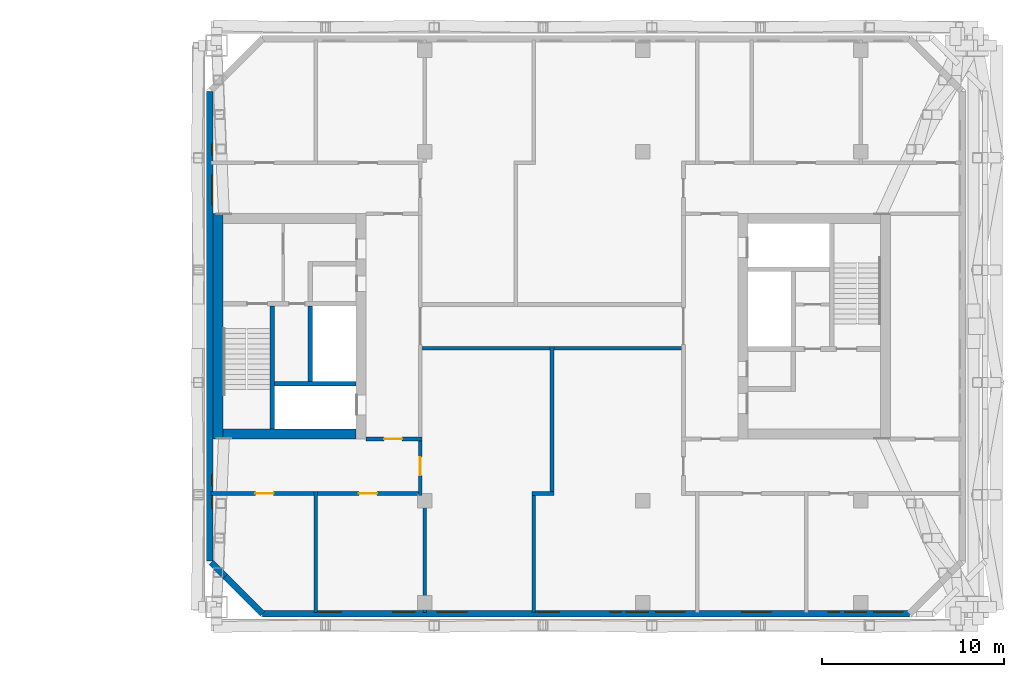
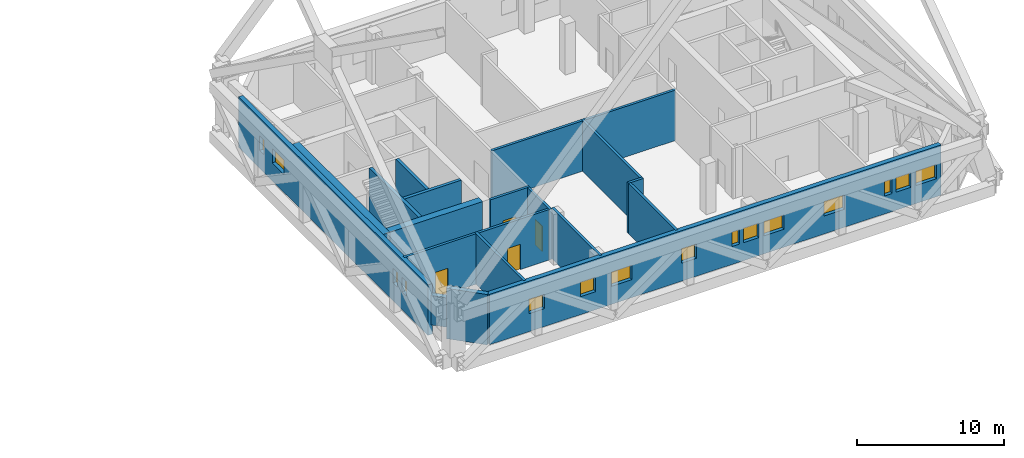
# One storey, part 12 of 22: 18 walls, 15 windows, 4 doors, 19 openings.
"""IFC4 building model written with IfcOpenShell, lengths in metres."""

from ifc_helpers import new_model, si_unit, direction, frame, frame_2d, origin, place, context, subcontext, project, spatial, rectangle, extrude, material, layer, layer_set, type_object, element, fill, save


model = new_model("IFC4")

# Units and contexts
model_context = context("Model", 3, precision=1e-05, world=origin(), true_north=direction((0.0, 1.0)))
body_context = subcontext(model_context, "Body", "Model", "MODEL_VIEW")
ifc_project = project(units=[si_unit("LENGTHUNIT", "METRE"), si_unit("AREAUNIT", "SQUARE_METRE"), si_unit("VOLUMEUNIT", "CUBIC_METRE"), si_unit("PLANEANGLEUNIT", "RADIAN"), si_unit("MASSUNIT", "GRAM", prefix="KILO")], contexts=[model_context])

# Site, building, storey
site_placement = place(None, origin())
site = spatial("IfcSite", under=ifc_project, at=site_placement, CompositionType="ELEMENT")
building_placement = place(site_placement, origin())
building = spatial("IfcBuilding", under=site, at=building_placement, Name="Tuart Gate Housing", CompositionType="ELEMENT")
storey_placement = place(building_placement, frame((0.0, 0.0, 115.0)))
storey = spatial("IfcBuildingStorey", under=building, at=storey_placement, Name="L32", CompositionType="ELEMENT", Elevation=115.0)

# Walls
ifc_material_1 = material(Name="Brick", Category="masonry")
ifc_layer_1 = layer(ifc_material_1, 0.360107421875)
ifc_layer_set_1 = layer_set([ifc_layer_1], Name="Brick pier and spandrel wall 360")
wall_type_1 = type_object("IfcWallType", Name="Brick pier and spandrel wall 360", PredefinedType="STANDARD", material=ifc_layer_set_1)
wall_1_placement = place(storey_placement, frame((131.25390625, 57.000732421875, 0.952880859375), z_axis=(0.0, 0.0, 1.0), x_axis=(0.706994764273, -0.707218780358, 0.0)))
element("IfcWall", 1, at=wall_1_placement, inside=storey, type_object=wall_type_1, Name="External wall B-SW L32", PredefinedType="STANDARD", context=body_context, shape_type="SweptSolid", body=[
    extrude(rectangle(XDim=1.08984375, YDim=0.360107421875, at=frame_2d((0.544921875, 0.0))), origin(), (0.0, 0.0, 1.0), 2.444091796875),
])
wall_2_placement = place(storey_placement, frame((132.0244140625, 56.22998046875, 0.0), z_axis=(0.0, 0.0, 1.0), x_axis=(0.707148882153, -0.707064677713, 0.0)))
element("IfcWall", 2, at=wall_2_placement, inside=storey, type_object=wall_type_1, Name="External wall B-SW L32", PredefinedType="STANDARD", context=body_context, shape_type="SweptSolid", body=[
    extrude(rectangle(XDim=2.8994140625, YDim=0.360107421875, at=frame_2d((1.44970703125, 0.0))), origin(), (0.0, 0.0, 1.0), 4.199951171875),
])

# Wall, openings, windows
wall_3_placement = place(storey_placement, frame((134.07470703125, 54.179931640625, 0.0), z_axis=(0.0, 0.0, 1.0), x_axis=(1.0, 0.0, 0.0)))
wall_3 = element("IfcWall", 3, at=wall_3_placement, inside=storey, type_object=wall_type_1, Name="External wall B-S L32", PredefinedType="STANDARD", context=body_context, shape_type="SweptSolid", body=[
    extrude(rectangle(XDim=35.600830078125, YDim=0.360107421875, at=frame_2d((17.80029296875, 0.0))), origin(), (0.0, 0.0, 1.0), 4.199951171875),
])
opening_1_placement = place(wall_3_placement, frame((3.12548828125, 0.0, 1.5)))
opening_1 = element("IfcOpeningElement", 4, at=opening_1_placement, cuts=wall_3, Name="Opening W3A", PredefinedType="OPENING", context=body_context, shape_type="SweptSolid", body=[
    extrude(rectangle(XDim=1.199951171875, YDim=1.199951171875, at=frame_2d((0.60009765625, 0.60009765625))), frame((0.0, 0.18994140625, 0.0), z_axis=(0.0, -1.0, 0.0), x_axis=(1.0, 0.0, 0.0)), (0.0, 0.0, 1.0), 0.380126953125),
])
opening_2_placement = place(wall_3_placement, frame((7.17529296875, 0.0, 1.5)))
opening_2 = element("IfcOpeningElement", 5, at=opening_2_placement, cuts=wall_3, Name="Opening W3A", PredefinedType="OPENING", context=body_context, shape_type="SweptSolid", body=[
    extrude(rectangle(XDim=1.199951171875, YDim=1.199951171875, at=frame_2d((0.60009765625, 0.60009765625))), frame((0.0, 0.18994140625, 0.0), z_axis=(0.0, -1.0, 0.0), x_axis=(1.0, 0.0, 0.0)), (0.0, 0.0, 1.0), 0.380126953125),
])
opening_3_placement = place(wall_3_placement, frame((9.62548828125, 0.0, 1.5)))
opening_3 = element("IfcOpeningElement", 6, at=opening_3_placement, cuts=wall_3, Name="Opening W3", PredefinedType="OPENING", context=body_context, shape_type="SweptSolid", body=[
    extrude(rectangle(XDim=1.60009765625, YDim=1.199951171875, at=frame_2d((0.800048828125, 0.60009765625))), frame((0.0, 0.18994140625, 0.0), z_axis=(0.0, -1.0, 0.0), x_axis=(1.0, 0.0, 0.0)), (0.0, 0.0, 1.0), 0.380126953125),
])
opening_4_placement = place(wall_3_placement, frame((15.12548828125, 0.0, 1.5)))
opening_4 = element("IfcOpeningElement", 7, at=opening_4_placement, cuts=wall_3, Name="Opening W3A", PredefinedType="OPENING", context=body_context, shape_type="SweptSolid", body=[
    extrude(rectangle(XDim=1.199951171875, YDim=1.199951171875, at=frame_2d((0.60009765625, 0.60009765625))), frame((0.0, 0.18994140625, 0.0), z_axis=(0.0, -1.0, 0.0), x_axis=(1.0, 0.0, 0.0)), (0.0, 0.0, 1.0), 0.380126953125),
])
opening_5_placement = place(wall_3_placement, frame((19.12548828125, 0.0, 1.5)))
opening_5 = element("IfcOpeningElement", 8, at=opening_5_placement, cuts=wall_3, Name="Opening W3C", PredefinedType="OPENING", context=body_context, shape_type="SweptSolid", body=[
    extrude(rectangle(XDim=0.60009765625, YDim=1.199951171875, at=frame_2d((0.300048828125, 0.60009765625))), frame((0.0, 0.18994140625, 0.0), z_axis=(0.0, -1.0, 0.0), x_axis=(1.0, 0.0, 0.0)), (0.0, 0.0, 1.0), 0.380126953125),
])
opening_6_placement = place(wall_3_placement, frame((21.62548828125, 0.0, 1.5)))
opening_6 = element("IfcOpeningElement", 9, at=opening_6_placement, cuts=wall_3, Name="Opening W3", PredefinedType="OPENING", context=body_context, shape_type="SweptSolid", body=[
    extrude(rectangle(XDim=1.60009765625, YDim=1.199951171875, at=frame_2d((0.800048828125, 0.60009765625))), frame((0.0, 0.18994140625, 0.0), z_axis=(0.0, -1.0, 0.0), x_axis=(1.0, 0.0, 0.0)), (0.0, 0.0, 1.0), 0.380126953125),
])
opening_7_placement = place(wall_3_placement, frame((26.37548828125, 0.0, 1.5)))
opening_7 = element("IfcOpeningElement", 10, at=opening_7_placement, cuts=wall_3, Name="Opening W3", PredefinedType="OPENING", context=body_context, shape_type="SweptSolid", body=[
    extrude(rectangle(XDim=1.60009765625, YDim=1.199951171875, at=frame_2d((0.800048828125, 0.60009765625))), frame((0.0, 0.18994140625, 0.0), z_axis=(0.0, -1.0, 0.0), x_axis=(1.0, 0.0, 0.0)), (0.0, 0.0, 1.0), 0.380126953125),
])
opening_8_placement = place(wall_3_placement, frame((31.12548828125, 0.0, 1.5)))
opening_8 = element("IfcOpeningElement", 11, at=opening_8_placement, cuts=wall_3, Name="Opening W3C", PredefinedType="OPENING", context=body_context, shape_type="SweptSolid", body=[
    extrude(rectangle(XDim=0.60009765625, YDim=1.199951171875, at=frame_2d((0.300048828125, 0.60009765625))), frame((0.0, 0.18994140625, 0.0), z_axis=(0.0, -1.0, 0.0), x_axis=(1.0, 0.0, 0.0)), (0.0, 0.0, 1.0), 0.380126953125),
])
opening_9_placement = place(wall_3_placement, frame((33.62548828125, 0.0, 1.5)))
opening_9 = element("IfcOpeningElement", 12, at=opening_9_placement, cuts=wall_3, Name="Opening W3", PredefinedType="OPENING", context=body_context, shape_type="SweptSolid", body=[
    extrude(rectangle(XDim=1.60009765625, YDim=1.199951171875, at=frame_2d((0.800048828125, 0.60009765625))), frame((0.0, 0.18994140625, 0.0), z_axis=(0.0, -1.0, 0.0), x_axis=(1.0, 0.0, 0.0)), (0.0, 0.0, 1.0), 0.380126953125),
])
opening_10_placement = place(wall_3_placement, frame((20.025390625, 0.0, 1.5)))
opening_10 = element("IfcOpeningElement", 13, at=opening_10_placement, cuts=wall_3, Name="Opening W3A", PredefinedType="OPENING", context=body_context, shape_type="SweptSolid", body=[
    extrude(rectangle(XDim=1.199951171875, YDim=1.199951171875, at=frame_2d((0.60009765625, 0.60009765625))), frame((0.0, 0.18994140625, 0.0), z_axis=(0.0, -1.0, 0.0), x_axis=(1.0, 0.0, 0.0)), (0.0, 0.0, 1.0), 0.380126953125),
])
opening_11_placement = place(wall_3_placement, frame((32.025390625, 0.0, 1.5)))
opening_11 = element("IfcOpeningElement", 14, at=opening_11_placement, cuts=wall_3, Name="Opening W3A", PredefinedType="OPENING", context=body_context, shape_type="SweptSolid", body=[
    extrude(rectangle(XDim=1.199951171875, YDim=1.199951171875, at=frame_2d((0.60009765625, 0.60009765625))), frame((0.0, 0.18994140625, 0.0), z_axis=(0.0, -1.0, 0.0), x_axis=(1.0, 0.0, 0.0)), (0.0, 0.0, 1.0), 0.380126953125),
])
ifc_material_2 = material(Name="Aluminium louvre blades", Category="aluminium")
window_type_1 = type_object("IfcWindowType", Name="Louvre window 1200 x 1200", PartitioningType="DOUBLE_PANEL_HORIZONTAL", PredefinedType="WINDOW", material=ifc_material_2)
window_1_placement = place(opening_1_placement, origin())
window_1 = element("IfcWindow", 15, at=window_1_placement, inside=storey, type_object=window_type_1, Name="Louvre W3A", OverallHeight=1.199951171875, OverallWidth=1.199951171875, PartitioningType="DOUBLE_PANEL_HORIZONTAL", PredefinedType="WINDOW", context=body_context, shape_type="SweptSolid", body=[
    extrude(rectangle(XDim=1.199951171875, YDim=1.199951171875, at=frame_2d((0.60009765625, 0.60009765625))), frame((0.0, 0.150146484375, 0.0), z_axis=(0.0, -1.0, 0.0), x_axis=(1.0, 0.0, 0.0)), (0.0, 0.0, 1.0), 0.06005859375),
])
fill(opening_1, window_1)
window_2_placement = place(opening_2_placement, origin())
window_2 = element("IfcWindow", 16, at=window_2_placement, inside=storey, type_object=window_type_1, Name="Louvre W3A", OverallHeight=1.199951171875, OverallWidth=1.199951171875, PartitioningType="DOUBLE_PANEL_HORIZONTAL", PredefinedType="WINDOW", context=body_context, shape_type="SweptSolid", body=[
    extrude(rectangle(XDim=1.199951171875, YDim=1.199951171875, at=frame_2d((0.60009765625, 0.60009765625))), frame((0.0, 0.150146484375, 0.0), z_axis=(0.0, -1.0, 0.0), x_axis=(1.0, 0.0, 0.0)), (0.0, 0.0, 1.0), 0.06005859375),
])
fill(opening_2, window_2)
window_3_placement = place(opening_4_placement, origin())
window_3 = element("IfcWindow", 17, at=window_3_placement, inside=storey, type_object=window_type_1, Name="Louvre W3A", OverallHeight=1.199951171875, OverallWidth=1.199951171875, PartitioningType="DOUBLE_PANEL_HORIZONTAL", PredefinedType="WINDOW", context=body_context, shape_type="SweptSolid", body=[
    extrude(rectangle(XDim=1.199951171875, YDim=1.199951171875, at=frame_2d((0.60009765625, 0.60009765625))), frame((0.0, 0.150146484375, 0.0), z_axis=(0.0, -1.0, 0.0), x_axis=(1.0, 0.0, 0.0)), (0.0, 0.0, 1.0), 0.06005859375),
])
fill(opening_4, window_3)
window_4_placement = place(opening_10_placement, origin())
window_4 = element("IfcWindow", 18, at=window_4_placement, inside=storey, type_object=window_type_1, Name="Louvre W3A", OverallHeight=1.199951171875, OverallWidth=1.199951171875, PartitioningType="DOUBLE_PANEL_HORIZONTAL", PredefinedType="WINDOW", context=body_context, shape_type="SweptSolid", body=[
    extrude(rectangle(XDim=1.199951171875, YDim=1.199951171875, at=frame_2d((0.60009765625, 0.60009765625))), frame((0.0, 0.150146484375, 0.0), z_axis=(0.0, -1.0, 0.0), x_axis=(1.0, 0.0, 0.0)), (0.0, 0.0, 1.0), 0.06005859375),
])
fill(opening_10, window_4)
window_5_placement = place(opening_11_placement, origin())
window_5 = element("IfcWindow", 19, at=window_5_placement, inside=storey, type_object=window_type_1, Name="Louvre W3A", OverallHeight=1.199951171875, OverallWidth=1.199951171875, PartitioningType="DOUBLE_PANEL_HORIZONTAL", PredefinedType="WINDOW", context=body_context, shape_type="SweptSolid", body=[
    extrude(rectangle(XDim=1.199951171875, YDim=1.199951171875, at=frame_2d((0.60009765625, 0.60009765625))), frame((0.0, 0.150146484375, 0.0), z_axis=(0.0, -1.0, 0.0), x_axis=(1.0, 0.0, 0.0)), (0.0, 0.0, 1.0), 0.06005859375),
])
fill(opening_11, window_5)
ifc_material_3 = material(Name="Aluminium louvre blades", Category="aluminium")
window_type_2 = type_object("IfcWindowType", Name="Louvre window 1600 x 1200", PartitioningType="DOUBLE_PANEL_HORIZONTAL", PredefinedType="WINDOW", material=ifc_material_3)
window_6_placement = place(opening_3_placement, origin())
window_6 = element("IfcWindow", 20, at=window_6_placement, inside=storey, type_object=window_type_2, Name="Louvre W3", OverallHeight=1.199951171875, OverallWidth=1.60009765625, PartitioningType="DOUBLE_PANEL_HORIZONTAL", PredefinedType="WINDOW", context=body_context, shape_type="SweptSolid", body=[
    extrude(rectangle(XDim=1.60009765625, YDim=1.199951171875, at=frame_2d((0.800048828125, 0.60009765625))), frame((0.0, 0.150146484375, 0.0), z_axis=(0.0, -1.0, 0.0), x_axis=(1.0, 0.0, 0.0)), (0.0, 0.0, 1.0), 0.06005859375),
])
fill(opening_3, window_6)
window_7_placement = place(opening_6_placement, origin())
window_7 = element("IfcWindow", 21, at=window_7_placement, inside=storey, type_object=window_type_2, Name="Louvre W3", OverallHeight=1.199951171875, OverallWidth=1.60009765625, PartitioningType="DOUBLE_PANEL_HORIZONTAL", PredefinedType="WINDOW", context=body_context, shape_type="SweptSolid", body=[
    extrude(rectangle(XDim=1.60009765625, YDim=1.199951171875, at=frame_2d((0.800048828125, 0.60009765625))), frame((0.0, 0.150146484375, 0.0), z_axis=(0.0, -1.0, 0.0), x_axis=(1.0, 0.0, 0.0)), (0.0, 0.0, 1.0), 0.06005859375),
])
fill(opening_6, window_7)
window_8_placement = place(opening_7_placement, origin())
window_8 = element("IfcWindow", 22, at=window_8_placement, inside=storey, type_object=window_type_2, Name="Louvre W3", OverallHeight=1.199951171875, OverallWidth=1.60009765625, PartitioningType="DOUBLE_PANEL_HORIZONTAL", PredefinedType="WINDOW", context=body_context, shape_type="SweptSolid", body=[
    extrude(rectangle(XDim=1.60009765625, YDim=1.199951171875, at=frame_2d((0.800048828125, 0.60009765625))), frame((0.0, 0.150146484375, 0.0), z_axis=(0.0, -1.0, 0.0), x_axis=(1.0, 0.0, 0.0)), (0.0, 0.0, 1.0), 0.06005859375),
])
fill(opening_7, window_8)
window_9_placement = place(opening_9_placement, origin())
window_9 = element("IfcWindow", 23, at=window_9_placement, inside=storey, type_object=window_type_2, Name="Louvre W3", OverallHeight=1.199951171875, OverallWidth=1.60009765625, PartitioningType="DOUBLE_PANEL_HORIZONTAL", PredefinedType="WINDOW", context=body_context, shape_type="SweptSolid", body=[
    extrude(rectangle(XDim=1.60009765625, YDim=1.199951171875, at=frame_2d((0.800048828125, 0.60009765625))), frame((0.0, 0.150146484375, 0.0), z_axis=(0.0, -1.0, 0.0), x_axis=(1.0, 0.0, 0.0)), (0.0, 0.0, 1.0), 0.06005859375),
])
fill(opening_9, window_9)
ifc_material_4 = material(Name="Aluminium louvre blades", Category="aluminium")
window_type_3 = type_object("IfcWindowType", Name="Louvre window 600 x 1200", PartitioningType="DOUBLE_PANEL_HORIZONTAL", PredefinedType="WINDOW", material=ifc_material_4)
window_10_placement = place(opening_5_placement, origin())
window_10 = element("IfcWindow", 24, at=window_10_placement, inside=storey, type_object=window_type_3, Name="Louvre W3C", OverallHeight=1.199951171875, OverallWidth=0.60009765625, PartitioningType="DOUBLE_PANEL_HORIZONTAL", PredefinedType="WINDOW", context=body_context, shape_type="SweptSolid", body=[
    extrude(rectangle(XDim=0.60009765625, YDim=1.199951171875, at=frame_2d((0.300048828125, 0.60009765625))), frame((0.0, 0.150146484375, 0.0), z_axis=(0.0, -1.0, 0.0), x_axis=(1.0, 0.0, 0.0)), (0.0, 0.0, 1.0), 0.06005859375),
])
fill(opening_5, window_10)
window_11_placement = place(opening_8_placement, origin())
window_11 = element("IfcWindow", 25, at=window_11_placement, inside=storey, type_object=window_type_3, Name="Louvre W3C", OverallHeight=1.199951171875, OverallWidth=0.60009765625, PartitioningType="DOUBLE_PANEL_HORIZONTAL", PredefinedType="WINDOW", context=body_context, shape_type="SweptSolid", body=[
    extrude(rectangle(XDim=0.60009765625, YDim=1.199951171875, at=frame_2d((0.300048828125, 0.60009765625))), frame((0.0, 0.150146484375, 0.0), z_axis=(0.0, -1.0, 0.0), x_axis=(1.0, 0.0, 0.0)), (0.0, 0.0, 1.0), 0.06005859375),
])
fill(opening_8, window_11)

wall_4_placement = place(storey_placement, frame((131.179931640625, 82.92529296875, 0.0), z_axis=(0.0, 0.0, 1.0), x_axis=(0.0, -1.0, 0.0)))
wall_4 = element("IfcWall", 26, at=wall_4_placement, inside=storey, type_object=wall_type_1, Name="External wall B-W L32", PredefinedType="STANDARD", context=body_context, shape_type="SweptSolid", body=[
    extrude(rectangle(XDim=25.850830078125, YDim=0.360107421875, at=frame_2d((12.92529296875, 0.0))), origin(), (0.0, 0.0, 1.0), 4.199951171875),
])
opening_12_placement = place(wall_4_placement, frame((2.89990234375, 0.0, 1.5)))
opening_12 = element("IfcOpeningElement", 27, at=opening_12_placement, cuts=wall_4, Name="Opening W3C", PredefinedType="OPENING", context=body_context, shape_type="SweptSolid", body=[
    extrude(rectangle(XDim=0.60009765625, YDim=1.199951171875, at=frame_2d((0.300048828125, 0.60009765625))), frame((0.0, 0.18994140625, 0.0), z_axis=(0.0, -1.0, 0.0), x_axis=(1.0, 0.0, 0.0)), (0.0, 0.0, 1.0), 0.380126953125),
])
opening_13_placement = place(wall_4_placement, frame((4.62548828125, 0.0, 1.5)))
opening_13 = element("IfcOpeningElement", 28, at=opening_13_placement, cuts=wall_4, Name="Opening W3", PredefinedType="OPENING", context=body_context, shape_type="SweptSolid", body=[
    extrude(rectangle(XDim=1.60009765625, YDim=1.199951171875, at=frame_2d((0.800048828125, 0.60009765625))), frame((0.0, 0.18994140625, 0.0), z_axis=(0.0, -1.0, 0.0), x_axis=(1.0, 0.0, 0.0)), (0.0, 0.0, 1.0), 0.380126953125),
])
opening_14_placement = place(wall_4_placement, frame((21.100341796875, 0.0, 1.5)))
opening_14 = element("IfcOpeningElement", 29, at=opening_14_placement, cuts=wall_4, Name="Opening W3C", PredefinedType="OPENING", context=body_context, shape_type="SweptSolid", body=[
    extrude(rectangle(XDim=0.60009765625, YDim=1.199951171875, at=frame_2d((0.300048828125, 0.60009765625))), frame((0.0, 0.18994140625, 0.0), z_axis=(0.0, -1.0, 0.0), x_axis=(1.0, 0.0, 0.0)), (0.0, 0.0, 1.0), 0.380126953125),
])
opening_15_placement = place(wall_4_placement, frame((22.325439453125, 0.0, 1.5)))
opening_15 = element("IfcOpeningElement", 30, at=opening_15_placement, cuts=wall_4, Name="Opening W3C", PredefinedType="OPENING", context=body_context, shape_type="SweptSolid", body=[
    extrude(rectangle(XDim=0.60009765625, YDim=1.199951171875, at=frame_2d((0.300048828125, 0.60009765625))), frame((0.0, 0.18994140625, 0.0), z_axis=(0.0, -1.0, 0.0), x_axis=(1.0, 0.0, 0.0)), (0.0, 0.0, 1.0), 0.380126953125),
])
window_12_placement = place(opening_13_placement, origin())
window_12 = element("IfcWindow", 31, at=window_12_placement, inside=storey, type_object=window_type_2, Name="Louvre W3", OverallHeight=1.199951171875, OverallWidth=1.60009765625, PartitioningType="DOUBLE_PANEL_HORIZONTAL", PredefinedType="WINDOW", context=body_context, shape_type="SweptSolid", body=[
    extrude(rectangle(XDim=1.60009765625, YDim=1.199951171875, at=frame_2d((0.800048828125, 0.60009765625))), frame((0.0, 0.150146484375, 0.0), z_axis=(0.0, -1.0, 0.0), x_axis=(1.0, 0.0, 0.0)), (0.0, 0.0, 1.0), 0.06005859375),
])
fill(opening_13, window_12)
window_13_placement = place(opening_12_placement, origin())
window_13 = element("IfcWindow", 32, at=window_13_placement, inside=storey, type_object=window_type_3, Name="Louvre W3C", OverallHeight=1.199951171875, OverallWidth=0.60009765625, PartitioningType="DOUBLE_PANEL_HORIZONTAL", PredefinedType="WINDOW", context=body_context, shape_type="SweptSolid", body=[
    extrude(rectangle(XDim=0.60009765625, YDim=1.199951171875, at=frame_2d((0.300048828125, 0.60009765625))), frame((0.0, 0.150146484375, 0.0), z_axis=(0.0, -1.0, 0.0), x_axis=(1.0, 0.0, 0.0)), (0.0, 0.0, 1.0), 0.06005859375),
])
fill(opening_12, window_13)
window_14_placement = place(opening_14_placement, origin())
window_14 = element("IfcWindow", 33, at=window_14_placement, inside=storey, type_object=window_type_3, Name="Louvre W3C", OverallHeight=1.199951171875, OverallWidth=0.60009765625, PartitioningType="DOUBLE_PANEL_HORIZONTAL", PredefinedType="WINDOW", context=body_context, shape_type="SweptSolid", body=[
    extrude(rectangle(XDim=0.60009765625, YDim=1.199951171875, at=frame_2d((0.300048828125, 0.60009765625))), frame((0.0, 0.150146484375, 0.0), z_axis=(0.0, -1.0, 0.0), x_axis=(1.0, 0.0, 0.0)), (0.0, 0.0, 1.0), 0.06005859375),
])
fill(opening_14, window_14)
window_15_placement = place(opening_15_placement, origin())
window_15 = element("IfcWindow", 34, at=window_15_placement, inside=storey, type_object=window_type_3, Name="Louvre W3C", OverallHeight=1.199951171875, OverallWidth=0.60009765625, PartitioningType="DOUBLE_PANEL_HORIZONTAL", PredefinedType="WINDOW", context=body_context, shape_type="SweptSolid", body=[
    extrude(rectangle(XDim=0.60009765625, YDim=1.199951171875, at=frame_2d((0.300048828125, 0.60009765625))), frame((0.0, 0.150146484375, 0.0), z_axis=(0.0, -1.0, 0.0), x_axis=(1.0, 0.0, 0.0)), (0.0, 0.0, 1.0), 0.06005859375),
])
fill(opening_15, window_15)

# Walls
ifc_material_5 = material(Name="Concrete C50", Category="concrete")
ifc_layer_2 = layer(ifc_material_5, 0.25)
ifc_layer_set_2 = layer_set([ifc_layer_2], Name="Core wall 250 C50")
wall_type_2 = type_object("IfcWallType", Name="Core wall 250 C50", PredefinedType="SHEAR", material=ifc_layer_set_2)
wall_5_placement = place(storey_placement, frame((139.2099609375, 66.85009765625, 0.0), z_axis=(0.0, 0.0, 1.0), x_axis=(-1.0, 0.0, 0.0)))
element("IfcWall", 35, at=wall_5_placement, inside=storey, type_object=wall_type_2, Name="Core wall BG.1", PredefinedType="SHEAR", context=body_context, shape_type="SweptSolid", body=[
    extrude(rectangle(XDim=4.474853515625, YDim=0.25, at=frame_2d((2.2373046875, 0.0))), origin(), (0.0, 0.0, 1.0), 4.199951171875),
])
wall_6_placement = place(storey_placement, frame((136.7099609375, 66.97509765625, 0.0), z_axis=(0.0, 0.0, 1.0), x_axis=(0.0, 1.0, 0.0)))
element("IfcWall", 36, at=wall_6_placement, inside=storey, type_object=wall_type_2, Name="Core wall BG.4", PredefinedType="SHEAR", context=body_context, shape_type="SweptSolid", body=[
    extrude(rectangle(XDim=4.14990234375, YDim=0.25, at=frame_2d((2.074951171875, 0.0))), origin(), (0.0, 0.0, 1.0), 4.199951171875),
])
wall_7_placement = place(storey_placement, frame((134.610107421875, 64.35009765625, 0.0), z_axis=(0.0, 0.0, 1.0), x_axis=(0.0, 1.0, 0.0)))
element("IfcWall", 37, at=wall_7_placement, inside=storey, type_object=wall_type_2, Name="Core wall BG.7", PredefinedType="SHEAR", context=body_context, shape_type="SweptSolid", body=[
    extrude(rectangle(XDim=6.77490234375, YDim=0.25, at=frame_2d((3.387451171875, 0.0))), origin(), (0.0, 0.0, 1.0), 4.199951171875),
])
ifc_material_6 = material(Name="Concrete C50", Category="concrete")
ifc_layer_3 = layer(ifc_material_6, 0.550048828125)
ifc_layer_set_3 = layer_set([ifc_layer_3], Name="Core wall 550 C50")
wall_type_3 = type_object("IfcWallType", Name="Core wall 550 C50", PredefinedType="SHEAR", material=ifc_layer_set_3)
wall_8_placement = place(storey_placement, frame((131.635009765625, 63.800048828125, 0.0), z_axis=(0.0, 0.0, 1.0), x_axis=(0.0, 1.0, 0.0)))
element("IfcWall", 38, at=wall_8_placement, inside=storey, type_object=wall_type_3, Name="Core wall BG back", PredefinedType="SHEAR", context=body_context, shape_type="SweptSolid", body=[
    extrude(rectangle(XDim=12.39990234375, YDim=0.550048828125, at=frame_2d((6.199951171875, 0.0))), origin(), (0.0, 0.0, 1.0), 4.199951171875),
])
wall_9_placement = place(storey_placement, frame((139.2099609375, 64.074951171875, 0.0), z_axis=(0.0, 0.0, 1.0), x_axis=(-1.0, 0.0, 0.0)))
element("IfcWall", 39, at=wall_9_placement, inside=storey, type_object=wall_type_3, Name="Core wall BG south", PredefinedType="SHEAR", context=body_context, shape_type="SweptSolid", body=[
    extrude(rectangle(XDim=7.300048828125, YDim=0.550048828125, at=frame_2d((3.64990234375, 0.0))), origin(), (0.0, 0.0, 1.0), 4.199951171875),
])

# Wall, openings, doors
ifc_material_7 = material(Name="Concrete masonry 15 MPa", Category="masonry")
ifc_layer_4 = layer(ifc_material_7, 0.199951171875)
ifc_layer_set_4 = layer_set([ifc_layer_4], Name="Enclosure wall masonry 200")
wall_type_4 = type_object("IfcWallType", Name="Enclosure wall masonry 200", PredefinedType="PARTITIONING", material=ifc_layer_set_4)
wall_10_placement = place(storey_placement, frame((131.239990234375, 60.800048828125, 0.0), z_axis=(0.0, 0.0, 1.0), x_axis=(1.0, 0.0, 0.0)))
wall_10 = element("IfcWall", 40, at=wall_10_placement, inside=storey, type_object=wall_type_4, Name="Enclosure wall masonry 200", PredefinedType="PARTITIONING", context=body_context, shape_type="SweptSolid", body=[
    extrude(rectangle(XDim=11.6220703125, YDim=0.199951171875, at=frame_2d((5.81103515625, 0.0))), origin(), (0.0, 0.0, 1.0), 4.199951171875),
])
opening_16_placement = place(wall_10_placement, frame((2.43994140625, 0.0, 0.0)))
opening_16 = element("IfcOpeningElement", 41, at=opening_16_placement, cuts=wall_10, Name="Opening D3434", PredefinedType="OPENING", context=body_context, shape_type="SweptSolid", body=[
    extrude(rectangle(XDim=1.0, YDim=2.10009765625, at=frame_2d((0.5, 1.050048828125))), frame((0.0, 0.10986328125, 0.0), z_axis=(0.0, -1.0, 0.0), x_axis=(1.0, 0.0, 0.0)), (0.0, 0.0, 1.0), 0.219970703125),
])
opening_17_placement = place(wall_10_placement, frame((8.14111328125, 0.0, 0.0)))
opening_17 = element("IfcOpeningElement", 42, at=opening_17_placement, cuts=wall_10, Name="Opening D3435", PredefinedType="OPENING", context=body_context, shape_type="SweptSolid", body=[
    extrude(rectangle(XDim=1.0, YDim=2.10009765625, at=frame_2d((0.5, 1.050048828125))), frame((0.0, 0.10986328125, 0.0), z_axis=(0.0, -1.0, 0.0), x_axis=(1.0, 0.0, 0.0)), (0.0, 0.0, 1.0), 0.219970703125),
])
ifc_material_8 = material(Name="Timber door leaf in steel frame", Category="steel")
door_type_1 = type_object("IfcDoorType", Name="Fire door 1000 RH", OperationType="SINGLE_SWING_RIGHT", PredefinedType="DOOR", material=ifc_material_8)
door_1_placement = place(opening_16_placement, frame((1.0, 0.0, 0.0), z_axis=(0.0, 0.0, 1.0), x_axis=(-1.0, 0.0, 0.0)))
door_1 = element("IfcDoor", 43, at=door_1_placement, inside=storey, type_object=door_type_1, Name="Fire door 1000", OperationType="SINGLE_SWING_RIGHT", OverallHeight=2.10009765625, OverallWidth=1.0, PredefinedType="DOOR", context=body_context, shape_type="SweptSolid", body=[
    extrude(rectangle(XDim=1.0, YDim=2.10009765625, at=frame_2d((0.5, 1.050048828125))), frame((0.0, 0.025146484375, 0.0), z_axis=(0.0, -1.0, 0.0), x_axis=(1.0, 0.0, 0.0)), (0.0, 0.0, 1.0), 0.050048828125),
])
fill(opening_16, door_1)
door_2_placement = place(opening_17_placement, frame((1.0, 0.0, 0.0), z_axis=(0.0, 0.0, 1.0), x_axis=(-1.0, 0.0, 0.0)))
door_2 = element("IfcDoor", 44, at=door_2_placement, inside=storey, type_object=door_type_1, Name="Fire door 1000", OperationType="SINGLE_SWING_RIGHT", OverallHeight=2.10009765625, OverallWidth=1.0, PredefinedType="DOOR", context=body_context, shape_type="SweptSolid", body=[
    extrude(rectangle(XDim=1.0, YDim=2.10009765625, at=frame_2d((0.5, 1.050048828125))), frame((0.0, 0.025146484375, 0.0), z_axis=(0.0, -1.0, 0.0), x_axis=(1.0, 0.0, 0.0)), (0.0, 0.0, 1.0), 0.050048828125),
])
fill(opening_17, door_2)

# Wall
wall_11_placement = place(storey_placement, frame((148.89990234375, 60.800048828125, 0.0), z_axis=(0.0, 0.0, 1.0), x_axis=(1.0, 0.0, 0.0)))
element("IfcWall", 45, at=wall_11_placement, inside=storey, type_object=wall_type_4, Name="Enclosure wall masonry 200", PredefinedType="PARTITIONING", context=body_context, shape_type="SweptSolid", body=[
    extrude(rectangle(XDim=1.2001953125, YDim=0.199951171875, at=frame_2d((0.60009765625, 0.0))), origin(), (0.0, 0.0, 1.0), 4.199951171875),
])

# Wall, opening, door
wall_12_placement = place(storey_placement, frame((139.760009765625, 63.800048828125, 0.0), z_axis=(0.0, 0.0, 1.0), x_axis=(1.0, 0.0, 0.0)))
wall_12 = element("IfcWall", 46, at=wall_12_placement, inside=storey, type_object=wall_type_4, Name="Enclosure wall masonry 200", PredefinedType="PARTITIONING", context=body_context, shape_type="SweptSolid", body=[
    extrude(rectangle(XDim=3.10009765625, YDim=0.199951171875, at=frame_2d((1.550048828125, 0.0))), origin(), (0.0, 0.0, 1.0), 4.199951171875),
])
opening_18_placement = place(wall_12_placement, frame((1.0, 0.0, 0.0)))
opening_18 = element("IfcOpeningElement", 47, at=opening_18_placement, cuts=wall_12, Name="Opening D3429", PredefinedType="OPENING", context=body_context, shape_type="SweptSolid", body=[
    extrude(rectangle(XDim=1.0, YDim=2.10009765625, at=frame_2d((0.5, 1.050048828125))), frame((0.0, 0.10986328125, 0.0), z_axis=(0.0, -1.0, 0.0), x_axis=(1.0, 0.0, 0.0)), (0.0, 0.0, 1.0), 0.219970703125),
])
ifc_material_9 = material(Name="Timber door leaf in steel frame", Category="steel")
door_type_2 = type_object("IfcDoorType", Name="Lobby door 1000", OperationType="SINGLE_SWING_LEFT", PredefinedType="DOOR", material=ifc_material_9)
door_3_placement = place(opening_18_placement, frame((1.0, 0.0, 0.0), z_axis=(0.0, 0.0, 1.0), x_axis=(-1.0, 0.0, 0.0)))
door_3 = element("IfcDoor", 48, at=door_3_placement, inside=storey, type_object=door_type_2, Name="Lobby door 1000", OperationType="SINGLE_SWING_LEFT", OverallHeight=2.10009765625, OverallWidth=1.0, PredefinedType="DOOR", context=body_context, shape_type="SweptSolid", body=[
    extrude(rectangle(XDim=1.0, YDim=2.10009765625, at=frame_2d((0.5, 1.050048828125))), frame((0.0, 0.025146484375, 0.0), z_axis=(0.0, -1.0, 0.0), x_axis=(1.0, 0.0, 0.0)), (0.0, 0.0, 1.0), 0.050048828125),
])
fill(opening_18, door_3)

# Walls
wall_13_placement = place(storey_placement, frame((142.760009765625, 68.800048828125, 0.0), z_axis=(0.0, 0.0, 1.0), x_axis=(1.0, 0.0, 0.0)))
element("IfcWall", 49, at=wall_13_placement, inside=storey, type_object=wall_type_4, Name="Enclosure wall masonry 200", PredefinedType="PARTITIONING", context=body_context, shape_type="SweptSolid", body=[
    extrude(rectangle(XDim=14.47998046875, YDim=0.199951171875, at=frame_2d((7.239990234375, 0.0))), origin(), (0.0, 0.0, 1.0), 4.199951171875),
])
wall_14_placement = place(storey_placement, frame((137.0, 54.239990234375, 0.0), z_axis=(0.0, 0.0, 1.0), x_axis=(0.0, 1.0, 0.0)))
element("IfcWall", 50, at=wall_14_placement, inside=storey, type_object=wall_type_4, Name="Enclosure wall masonry 200", PredefinedType="PARTITIONING", context=body_context, shape_type="SweptSolid", body=[
    extrude(rectangle(XDim=6.659912109375, YDim=0.199951171875, at=frame_2d((3.330078125, 0.0))), origin(), (0.0, 0.0, 1.0), 4.199951171875),
])

# Wall, opening, door
wall_15_placement = place(storey_placement, frame((142.760009765625, 60.699951171875, 0.0), z_axis=(0.0, 0.0, 1.0), x_axis=(0.0, 1.0, 0.0)))
wall_15 = element("IfcWall", 51, at=wall_15_placement, inside=storey, type_object=wall_type_4, Name="Enclosure wall masonry 200", PredefinedType="PARTITIONING", context=body_context, shape_type="SweptSolid", body=[
    extrude(rectangle(XDim=3.199951171875, YDim=0.199951171875, at=frame_2d((1.60009765625, 0.0))), origin(), (0.0, 0.0, 1.0), 4.199951171875),
])
opening_19_placement = place(wall_15_placement, frame((1.10009765625, 0.0, 0.0)))
opening_19 = element("IfcOpeningElement", 52, at=opening_19_placement, cuts=wall_15, Name="Opening D3432", PredefinedType="OPENING", context=body_context, shape_type="SweptSolid", body=[
    extrude(rectangle(XDim=1.0, YDim=2.10009765625, at=frame_2d((0.5, 1.050048828125))), frame((0.0, 0.10986328125, 0.0), z_axis=(0.0, -1.0, 0.0), x_axis=(1.0, 0.0, 0.0)), (0.0, 0.0, 1.0), 0.219970703125),
])
ifc_material_10 = material(Name="Timber door leaf in steel frame", Category="steel")
door_type_3 = type_object("IfcDoorType", Name="Fire door 1000", OperationType="SINGLE_SWING_LEFT", PredefinedType="DOOR", material=ifc_material_10)
door_4_placement = place(opening_19_placement, frame((1.0, 0.0, 0.0), z_axis=(0.0, 0.0, 1.0), x_axis=(-1.0, 0.0, 0.0)))
door_4 = element("IfcDoor", 53, at=door_4_placement, inside=storey, type_object=door_type_3, Name="Fire door 1000", OperationType="SINGLE_SWING_LEFT", OverallHeight=2.10009765625, OverallWidth=1.0, PredefinedType="DOOR", context=body_context, shape_type="SweptSolid", body=[
    extrude(rectangle(XDim=1.0, YDim=2.10009765625, at=frame_2d((0.5, 1.050048828125))), frame((0.0, 0.025146484375, 0.0), z_axis=(0.0, -1.0, 0.0), x_axis=(1.0, 0.0, 0.0)), (0.0, 0.0, 1.0), 0.050048828125),
])
fill(opening_19, door_4)

# Walls
wall_16_placement = place(storey_placement, frame((143.0, 54.239990234375, 0.0), z_axis=(0.0, 0.0, 1.0), x_axis=(0.0, 1.0, 0.0)))
element("IfcWall", 54, at=wall_16_placement, inside=storey, type_object=wall_type_4, Name="Enclosure wall masonry 200", PredefinedType="PARTITIONING", context=body_context, shape_type="SweptSolid", body=[
    extrude(rectangle(XDim=6.56005859375, YDim=0.199951171875, at=frame_2d((3.280029296875, 0.0))), origin(), (0.0, 0.0, 1.0), 4.199951171875),
])
wall_17_placement = place(storey_placement, frame((149.0, 54.239990234375, 0.0), z_axis=(0.0, 0.0, 1.0), x_axis=(0.0, 1.0, 0.0)))
element("IfcWall", 55, at=wall_17_placement, inside=storey, type_object=wall_type_4, Name="Enclosure wall masonry 200", PredefinedType="PARTITIONING", context=body_context, shape_type="SweptSolid", body=[
    extrude(rectangle(XDim=6.659912109375, YDim=0.199951171875, at=frame_2d((3.330078125, 0.0))), origin(), (0.0, 0.0, 1.0), 4.199951171875),
])
wall_18_placement = place(storey_placement, frame((150.0, 60.699951171875, 0.0), z_axis=(0.0, 0.0, 1.0), x_axis=(0.0, 1.0, 0.0)))
element("IfcWall", 56, at=wall_18_placement, inside=storey, type_object=wall_type_4, Name="Enclosure wall masonry 200", PredefinedType="PARTITIONING", context=body_context, shape_type="SweptSolid", body=[
    extrude(rectangle(XDim=8.199951171875, YDim=0.199951171875, at=frame_2d((4.10009765625, 0.0))), origin(), (0.0, 0.0, 1.0), 4.199951171875),
])

save(model, "model.ifc")
